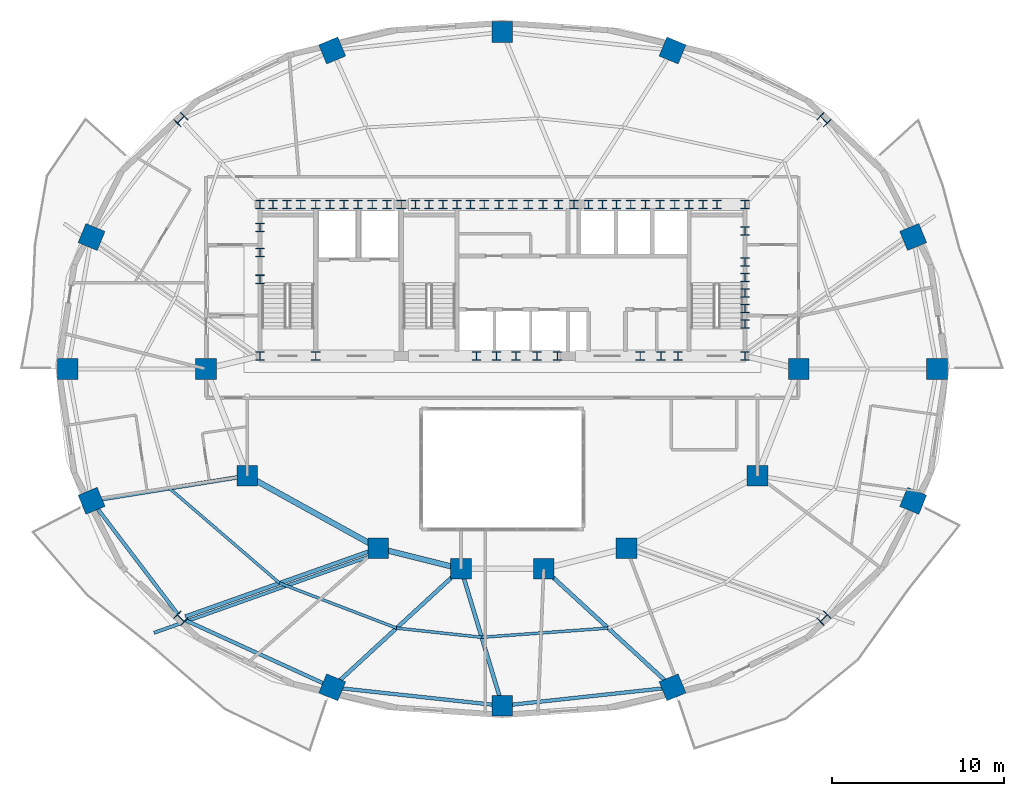
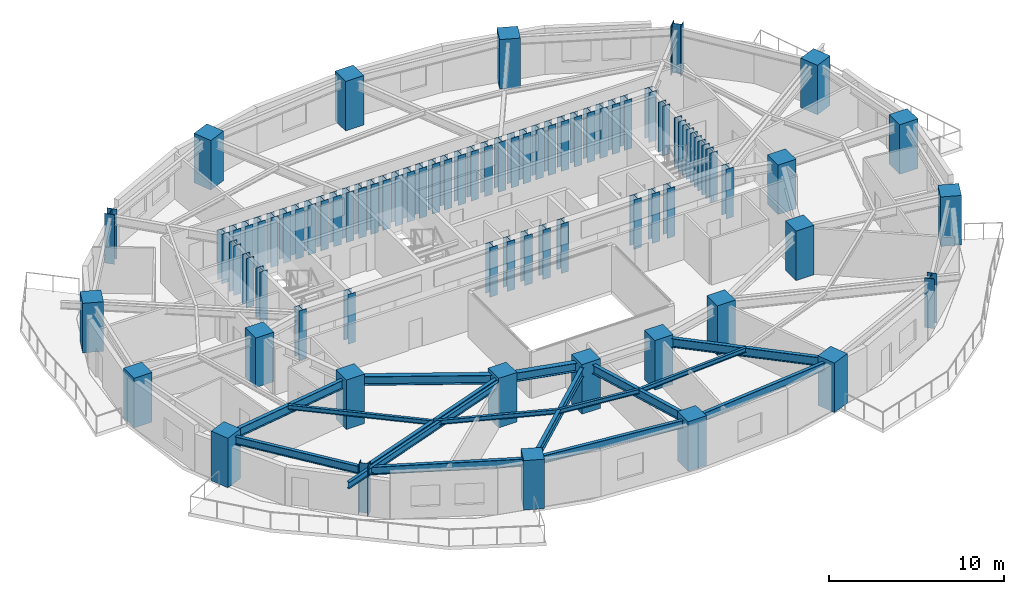
# One storey, part 1 of 12: 78 columns, 16 beams.
"""IFC4 building model written with IfcOpenShell, lengths in metres."""

from ifc_helpers import new_model, si_unit, direction, frame, origin, origin_2d, place, context, subcontext, project, spatial, rectangle, i_section, extrude, material, material_profile, profile_set, type_object, element, save


model = new_model("IFC4")

# Units and contexts
model_context = context("Model", 3, precision=1e-05, world=origin(), true_north=direction((0.0, 1.0)))
body_context = subcontext(model_context, "Body", "Model", "MODEL_VIEW")
ifc_project = project(units=[si_unit("LENGTHUNIT", "METRE"), si_unit("AREAUNIT", "SQUARE_METRE"), si_unit("VOLUMEUNIT", "CUBIC_METRE"), si_unit("PLANEANGLEUNIT", "RADIAN"), si_unit("MASSUNIT", "GRAM", prefix="KILO")], contexts=[model_context])

# Site, building, storey
site_placement = place(None, origin())
site = spatial("IfcSite", under=ifc_project, at=site_placement, CompositionType="ELEMENT")
building_placement = place(site_placement, origin())
building = spatial("IfcBuilding", under=site, at=building_placement, Name="Haldorwick Loom Tower", CompositionType="ELEMENT")
storey_placement = place(building_placement, frame((0.0, 0.0, 157.89990234375)))
storey = spatial("IfcBuildingStorey", under=building, at=storey_placement, Name="L42", CompositionType="ELEMENT", Elevation=157.89990234375)

# Columns
ifc_material_1 = material(Name="Concrete C60 (60 MPa)", Category="concrete")
ifc_material_profile_1 = material_profile(ifc_material_1, rectangle(XDim=1.199951171875, YDim=1.199951171875, at=origin_2d()), Name="RC1200X1200", Category="concrete")
ifc_profile_set_1 = profile_set([ifc_material_profile_1], Name="Concrete C60 (60 MPa)")
column_type_1 = type_object("IfcColumnType", Name="STR-COL-RC1200", PredefinedType="COLUMN", material=ifc_profile_set_1)
for number, where, z_axis, x_axis, name in (
    (1, (53.199951171875, 26.0, 0.0), (0.0, 0.0, 1.0), (1.0, 0.0, 0.0), "L42 Inner Column IC-01"),
    (2, (50.800048828125, 19.800048828125, 0.0), (0.0, 0.0, 1.0), (1.0, 0.0, 0.0), "L42 Inner Column IC-02"),
    (3, (43.199951171875, 15.60009765625, 0.0), (0.0, 0.0, 1.0), (1.0, 0.0, 0.0), "L42 Inner Column IC-03"),
    (4, (38.39990234375, 14.39990234375, 0.0), (0.0, 0.0, 1.0), (1.0, 0.0, 0.0), "L42 Inner Column IC-04"),
    (5, (33.60009765625, 14.39990234375, 0.0), (0.0, 0.0, 1.0), (1.0, 0.0, 0.0), "L42 Inner Column IC-05"),
    (6, (28.800048828125, 15.60009765625, 0.0), (0.0, 0.0, 1.0), (1.0, 0.0, 0.0), "L42 Inner Column IC-06"),
    (7, (21.199951171875, 19.800048828125, 0.0), (0.0, 0.0, 1.0), (1.0, 0.0, 0.0), "L42 Inner Column IC-07"),
    (8, (18.800048828125, 26.0, 0.0), (0.0, 0.0, 1.0), (1.0, 0.0, 0.0), "L42 Inner Column IC-08"),
    (9, (61.217041015625, 26.0, 0.0), (0.0, 0.0, 1.0), (1.0, 0.0, 0.0), "L42 Perimeter Pier Column P01"),
    (10, (59.836181640625, 33.65380859375, 0.0), (0.0, 0.0, 1.0), (0.923879532511, 0.382683432365, 0.0), "L42 Perimeter Pier Column P02"),
    (11, (45.873291015625, 44.4775390625, 0.0), (0.0, 0.0, 1.0), (0.382683432365, 0.923879532511, 0.0), "L42 Perimeter Pier Column P04"),
    (12, (36.0, 45.544677734375, 0.0), (0.0, 0.0, 1.0), (0.0, 1.0, 0.0), "L42 Perimeter Pier Column P05"),
    (13, (26.126708984375, 44.4775390625, 0.0), (0.0, 0.0, 1.0), (-0.382683432365, 0.923879532511, 0.0), "L42 Perimeter Pier Column P06"),
    (14, (12.163818359375, 33.65380859375, 0.0), (0.0, 0.0, 1.0), (-0.923879532511, 0.382683432365, 0.0), "L42 Perimeter Pier Column P08"),
    (15, (10.782958984375, 26.0, 0.0), (0.0, 0.0, 1.0), (-1.0, 0.0, 0.0), "L42 Perimeter Pier Column P09"),
    (16, (12.163818359375, 18.34619140625, 0.0), (0.0, 0.0, 1.0), (-0.923879532511, -0.382683432365, 0.0), "L42 Perimeter Pier Column P10"),
    (17, (26.126708984375, 7.5224609375, 0.0), (0.0, 0.0, 1.0), (-0.382683432365, -0.923879532511, 0.0), "L42 Perimeter Pier Column P12"),
    (18, (36.0, 6.455322265625, 0.0), (0.0, 0.0, 1.0), (0.0, -1.0, 0.0), "L42 Perimeter Pier Column P13"),
    (19, (45.873291015625, 7.5224609375, 0.0), (0.0, 0.0, 1.0), (0.382683432365, -0.923879532511, 0.0), "L42 Perimeter Pier Column P14"),
    (20, (59.836181640625, 18.34619140625, 0.0), (0.0, 0.0, 1.0), (0.923879532511, -0.382683432365, 0.0), "L42 Perimeter Pier Column P16"),
):
    element("IfcColumn", number, at=place(storey_placement, frame(where, z_axis=z_axis, x_axis=x_axis)), inside=storey, type_object=column_type_1, Name=name, PredefinedType="COLUMN", context=body_context, shape_type="SweptSolid", body=[
        extrude(rectangle(XDim=1.199951171875, YDim=1.199951171875, at=origin_2d()), origin(), (0.0, 0.0, 1.0), 3.4501953125),
    ])
ifc_material_2 = material(Name="Steel CSA G40.21 350WT", Category="steel")
ifc_material_profile_2 = material_profile(ifc_material_2, i_section(OverallWidth=0.5, OverallDepth=0.5, WebThickness=0.02197265625, FlangeThickness=0.031982421875, at=origin_2d()), Name="WWF500X500", Category="steel")
ifc_profile_set_2 = profile_set([ifc_material_profile_2], Name="Steel CSA G40.21 350WT")
column_type_2 = type_object("IfcColumnType", Name="STR-COL-WWF500", PredefinedType="COLUMN", material=ifc_profile_set_2)
for number, where, z_axis, x_axis, name in (
    (21, (21.929931640625, 35.550048828125, 0.0), (0.0, 0.0, 1.0), (1.0, 0.0, 0.0), "L42 Core Pilaster CB-01"),
    (22, (23.5, 35.550048828125, 0.0), (0.0, 0.0, 1.0), (1.0, 0.0, 0.0), "L42 Core Pilaster CB-02"),
    (23, (25.169921875, 35.550048828125, 0.0), (0.0, 0.0, 1.0), (1.0, 0.0, 0.0), "L42 Core Pilaster CB-03"),
    (24, (26.800048828125, 35.550048828125, 0.0), (0.0, 0.0, 1.0), (1.0, 0.0, 0.0), "L42 Core Pilaster CB-04"),
    (25, (28.449951171875, 35.550048828125, 0.0), (0.0, 0.0, 1.0), (1.0, 0.0, 0.0), "L42 Core Pilaster CB-05"),
    (26, (30.1298828125, 35.550048828125, 0.0), (0.0, 0.0, 1.0), (1.0, 0.0, 0.0), "L42 Core Pilaster CB-06"),
    (27, (31.75, 35.550048828125, 0.0), (0.0, 0.0, 1.0), (1.0, 0.0, 0.0), "L42 Core Pilaster CB-07"),
    (28, (33.3701171875, 35.550048828125, 0.0), (0.0, 0.0, 1.0), (1.0, 0.0, 0.0), "L42 Core Pilaster CB-08"),
    (29, (34.949951171875, 35.550048828125, 0.0), (0.0, 0.0, 1.0), (1.0, 0.0, 0.0), "L42 Core Pilaster CB-09"),
    (30, (36.60009765625, 35.550048828125, 0.0), (0.0, 0.0, 1.0), (1.0, 0.0, 0.0), "L42 Core Pilaster CB-10"),
    (31, (38.35009765625, 35.550048828125, 0.0), (0.0, 0.0, 1.0), (1.0, 0.0, 0.0), "L42 Core Pilaster CB-11"),
    (32, (40.14990234375, 35.550048828125, 0.0), (0.0, 0.0, 1.0), (1.0, 0.0, 0.0), "L42 Core Pilaster CB-12"),
    (33, (41.800048828125, 35.550048828125, 0.0), (0.0, 0.0, 1.0), (1.0, 0.0, 0.0), "L42 Core Pilaster CB-13"),
    (34, (43.449951171875, 35.550048828125, 0.0), (0.0, 0.0, 1.0), (1.0, 0.0, 0.0), "L42 Core Pilaster CB-14"),
    (35, (45.14990234375, 35.550048828125, 0.0), (0.0, 0.0, 1.0), (1.0, 0.0, 0.0), "L42 Core Pilaster CB-15"),
    (36, (46.830078125, 35.550048828125, 0.0), (0.0, 0.0, 1.0), (1.0, 0.0, 0.0), "L42 Core Pilaster CB-16"),
    (37, (48.449951171875, 35.550048828125, 0.0), (0.0, 0.0, 1.0), (1.0, 0.0, 0.0), "L42 Core Pilaster CB-17"),
    (38, (50.070068359375, 35.550048828125, 0.0), (0.0, 0.0, 1.0), (1.0, 0.0, 0.0), "L42 Core Pilaster CB-18"),
    (39, (21.929931640625, 26.75, 0.0), (0.0, 0.0, 1.0), (1.0, 0.0, 0.0), "L42 Core Pilaster CB-19"),
    (40, (25.169921875, 26.75, 0.0), (0.0, 0.0, 1.0), (1.0, 0.0, 0.0), "L42 Core Pilaster CB-20"),
    (41, (34.5, 26.75, 0.0), (0.0, 0.0, 1.0), (1.0, 0.0, 0.0), "L42 Core Pilaster CB-21"),
    (42, (36.800048828125, 26.75, 0.0), (0.0, 0.0, 1.0), (1.0, 0.0, 0.0), "L42 Core Pilaster CB-22"),
    (43, (39.199951171875, 26.75, 0.0), (0.0, 0.0, 1.0), (1.0, 0.0, 0.0), "L42 Core Pilaster CB-23"),
    (44, (45.199951171875, 26.75, 0.0), (0.0, 0.0, 1.0), (1.0, 0.0, 0.0), "L42 Core Pilaster CB-24"),
    (45, (50.070068359375, 26.75, 0.0), (0.0, 0.0, 1.0), (1.0, 0.0, 0.0), "L42 Core Pilaster CB-25"),
    (46, (21.929931640625, 31.199951171875, 0.0), (0.0, 0.0, 1.0), (1.0, 0.0, 0.0), "L42 Core Pilaster CB-26"),
    (47, (21.929931640625, 32.75, 0.0), (0.0, 0.0, 1.0), (1.0, 0.0, 0.0), "L42 Core Pilaster CB-27"),
    (48, (21.929931640625, 34.199951171875, 0.0), (0.0, 0.0, 1.0), (1.0, 0.0, 0.0), "L42 Core Pilaster CB-28"),
    (49, (50.070068359375, 28.60009765625, 0.0), (0.0, 0.0, 1.0), (1.0, 0.0, 0.0), "L42 Core Pilaster CB-29"),
    (50, (50.070068359375, 30.39990234375, 0.0), (0.0, 0.0, 1.0), (1.0, 0.0, 0.0), "L42 Core Pilaster CB-30"),
    (51, (50.070068359375, 32.199951171875, 0.0), (0.0, 0.0, 1.0), (1.0, 0.0, 0.0), "L42 Core Pilaster CB-31"),
    (52, (50.070068359375, 34.0, 0.0), (0.0, 0.0, 1.0), (1.0, 0.0, 0.0), "L42 Core Pilaster CB-32"),
    (53, (22.699951171875, 35.550048828125, 0.0), (0.0, 0.0, 1.0), (1.0, 0.0, 0.0), "L42 Core Pilaster CB-33"),
    (54, (27.6201171875, 35.550048828125, 0.0), (0.0, 0.0, 1.0), (1.0, 0.0, 0.0), "L42 Core Pilaster CB-34"),
    (55, (32.550048828125, 35.550048828125, 0.0), (0.0, 0.0, 1.0), (1.0, 0.0, 0.0), "L42 Core Pilaster CB-35"),
    (56, (37.5, 35.550048828125, 0.0), (0.0, 0.0, 1.0), (1.0, 0.0, 0.0), "L42 Core Pilaster CB-36"),
    (57, (42.6201171875, 35.550048828125, 0.0), (0.0, 0.0, 1.0), (1.0, 0.0, 0.0), "L42 Core Pilaster CB-37"),
    (58, (47.64990234375, 35.550048828125, 0.0), (0.0, 0.0, 1.0), (1.0, 0.0, 0.0), "L42 Core Pilaster CB-38"),
    (59, (24.300048828125, 35.550048828125, 0.0), (0.0, 0.0, 1.0), (1.0, 0.0, 0.0), "L42 Core Pilaster CB-39"),
    (60, (26.0, 35.550048828125, 0.0), (0.0, 0.0, 1.0), (1.0, 0.0, 0.0), "L42 Core Pilaster CB-40"),
    (61, (29.300048828125, 35.550048828125, 0.0), (0.0, 0.0, 1.0), (1.0, 0.0, 0.0), "L42 Core Pilaster CB-41"),
    (62, (30.949951171875, 35.550048828125, 0.0), (0.0, 0.0, 1.0), (1.0, 0.0, 0.0), "L42 Core Pilaster CB-42"),
    (63, (34.14990234375, 35.550048828125, 0.0), (0.0, 0.0, 1.0), (1.0, 0.0, 0.0), "L42 Core Pilaster CB-43"),
    (64, (35.800048828125, 35.550048828125, 0.0), (0.0, 0.0, 1.0), (1.0, 0.0, 0.0), "L42 Core Pilaster CB-44"),
    (65, (39.25, 35.550048828125, 0.0), (0.0, 0.0, 1.0), (1.0, 0.0, 0.0), "L42 Core Pilaster CB-45"),
    (66, (41.0, 35.550048828125, 0.0), (0.0, 0.0, 1.0), (1.0, 0.0, 0.0), "L42 Core Pilaster CB-46"),
    (67, (44.300048828125, 35.550048828125, 0.0), (0.0, 0.0, 1.0), (1.0, 0.0, 0.0), "L42 Core Pilaster CB-47"),
    (68, (46.0, 35.550048828125, 0.0), (0.0, 0.0, 1.0), (1.0, 0.0, 0.0), "L42 Core Pilaster CB-48"),
    (69, (50.070068359375, 29.5, 0.0), (0.0, 0.0, 1.0), (1.0, 0.0, 0.0), "L42 Core Pilaster CB-49"),
    (70, (50.070068359375, 31.300048828125, 0.0), (0.0, 0.0, 1.0), (1.0, 0.0, 0.0), "L42 Core Pilaster CB-50"),
    (71, (35.64990234375, 26.75, 0.0), (0.0, 0.0, 1.0), (1.0, 0.0, 0.0), "L42 Core Pilaster CB-51"),
    (72, (38.0, 26.75, 0.0), (0.0, 0.0, 1.0), (1.0, 0.0, 0.0), "L42 Core Pilaster CB-52"),
    (73, (44.0, 26.75, 0.0), (0.0, 0.0, 1.0), (1.0, 0.0, 0.0), "L42 Core Pilaster CB-53"),
    (74, (46.199951171875, 26.75, 0.0), (0.0, 0.0, 1.0), (1.0, 0.0, 0.0), "L42 Core Pilaster CB-54"),
):
    element("IfcColumn", number, at=place(storey_placement, frame(where, z_axis=z_axis, x_axis=x_axis)), inside=storey, type_object=column_type_2, Name=name, PredefinedType="COLUMN", context=body_context, shape_type="SweptSolid", body=[
        extrude(i_section(OverallWidth=0.5, OverallDepth=0.5, WebThickness=0.02197265625, FlangeThickness=0.031982421875, at=origin_2d()), origin(), (0.0, 0.0, 1.0), 3.4501953125),
    ])
ifc_material_profile_3 = material_profile(ifc_material_2, i_section(OverallWidth=0.60009765625, OverallDepth=0.60009765625, WebThickness=0.02490234375, FlangeThickness=0.035888671875, at=origin_2d()), Name="WWF600X600", Category="steel")
ifc_profile_set_3 = profile_set([ifc_material_profile_3], Name="Steel CSA G40.21 350WT")
column_type_3 = type_object("IfcColumnType", Name="STR-COL-WWF600", PredefinedType="COLUMN", material=ifc_profile_set_3)
for number, where, z_axis, x_axis, name in (
    (75, (54.655517578125, 40.464111328125, 0.0), (0.0, 0.0, 1.0), (0.707106781187, 0.707106781187, 0.0), "L42 Perimeter Pier Column P03"),
    (76, (17.344482421875, 40.464111328125, 0.0), (0.0, 0.0, 1.0), (-0.707106781187, 0.707106781187, 0.0), "L42 Perimeter Pier Column P07"),
    (77, (17.344482421875, 11.535888671875, 0.0), (0.0, 0.0, 1.0), (-0.707106781187, -0.707106781187, 0.0), "L42 Perimeter Pier Column P11"),
    (78, (54.655517578125, 11.535888671875, 0.0), (0.0, 0.0, 1.0), (0.707106781187, -0.707106781187, 0.0), "L42 Perimeter Pier Column P15"),
):
    element("IfcColumn", number, at=place(storey_placement, frame(where, z_axis=z_axis, x_axis=x_axis)), inside=storey, type_object=column_type_3, Name=name, PredefinedType="COLUMN", context=body_context, shape_type="SweptSolid", body=[
        extrude(i_section(OverallWidth=0.60009765625, OverallDepth=0.60009765625, WebThickness=0.02490234375, FlangeThickness=0.035888671875, at=origin_2d()), origin(), (0.0, 0.0, 1.0), 3.4501953125),
    ])

# Beams
ifc_material_3 = material(Name="Steel CSA G40.21 350W", Category="steel")
ifc_material_profile_4 = material_profile(ifc_material_3, i_section(OverallWidth=0.193115234375, OverallDepth=0.466064453125, WebThickness=0.011474609375, FlangeThickness=0.01904296875, at=origin_2d()), Name="W460X97", Category="steel")
ifc_profile_set_4 = profile_set([ifc_material_profile_4], Name="Steel CSA G40.21 350W")
beam_type_1 = type_object("IfcBeamType", Name="STR-BM-BAL460", PredefinedType="BEAM", material=ifc_profile_set_4)
beam_1_placement = place(storey_placement, frame((28.403564453125, 15.162109375, 2.97705078125), z_axis=(-0.942447955832, -0.334352883266, 0.0), x_axis=(0.334352883266, -0.942447955832, 0.0)))
element("IfcBeam", 79, at=beam_1_placement, inside=storey, type_object=beam_type_1, Name="L42 Continuous Back-Spanned Balcony Beam 2", PredefinedType="BEAM", context=body_context, shape_type="SweptSolid", body=[
    extrude(i_section(OverallWidth=0.193115234375, OverallDepth=0.466064453125, WebThickness=0.011474609375, FlangeThickness=0.01904296875, at=origin_2d()), origin(), (0.0, 0.0, 1.0), 13.385009765625),
])
ifc_material_profile_5 = material_profile(ifc_material_3, i_section(OverallWidth=0.166015625, OverallDepth=0.31298828125, WebThickness=0.006591796875, FlangeThickness=0.01123046875, at=origin_2d()), Name="W310X45", Category="steel")
ifc_profile_set_5 = profile_set([ifc_material_profile_5], Name="Steel CSA G40.21 350W")
beam_type_2 = type_object("IfcBeamType", Name="STR-BM-J310", PredefinedType="JOIST", material=ifc_profile_set_5)
beam_2_placement = place(storey_placement, frame((16.681884765625, 19.072998046875, 3.0537109375), z_axis=(0.75763401328, -0.652679631918, 0.0), x_axis=(0.652679631918, 0.75763401328, 0.0)))
element("IfcBeam", 80, at=beam_2_placement, inside=storey, type_object=beam_type_2, Name="L42 Mid-Bay Secondary Joist 10", PredefinedType="JOIST", context=body_context, shape_type="SweptSolid", body=[
    extrude(i_section(OverallWidth=0.166015625, OverallDepth=0.31298828125, WebThickness=0.006591796875, FlangeThickness=0.01123046875, at=origin_2d()), origin(), (0.0, 0.0, 1.0), 8.4345703125),
])
beam_3_placement = place(storey_placement, frame((23.072265625, 13.56787109375, 3.0537109375), z_axis=(0.933586737031, -0.358351509609, 0.0), x_axis=(0.358351509609, 0.933586737031, 0.0)))
element("IfcBeam", 81, at=beam_3_placement, inside=storey, type_object=beam_type_2, Name="L42 Mid-Bay Secondary Joist 11", PredefinedType="JOIST", context=body_context, shape_type="SweptSolid", body=[
    extrude(i_section(OverallWidth=0.166015625, OverallDepth=0.31298828125, WebThickness=0.006591796875, FlangeThickness=0.01123046875, at=origin_2d()), origin(), (0.0, 0.0, 1.0), 7.274169921875),
])
beam_4_placement = place(storey_placement, frame((29.86328125, 10.961181640625, 3.0537109375), z_axis=(0.994212584227, -0.107430616514, 0.0), x_axis=(0.107430616514, 0.994212584227, 0.0)))
element("IfcBeam", 82, at=beam_4_placement, inside=storey, type_object=beam_type_2, Name="L42 Mid-Bay Secondary Joist 12", PredefinedType="JOIST", context=body_context, shape_type="SweptSolid", body=[
    extrude(i_section(OverallWidth=0.166015625, OverallDepth=0.31298828125, WebThickness=0.006591796875, FlangeThickness=0.01123046875, at=origin_2d()), origin(), (0.0, 0.0, 1.0), 4.965576171875),
])
beam_5_placement = place(storey_placement, frame((34.800048828125, 10.427734375, 3.0537109375), z_axis=(0.997367082818, 0.072518288109, 0.0), x_axis=(-0.072518288109, 0.997367082818, 0.0)))
element("IfcBeam", 83, at=beam_5_placement, inside=storey, type_object=beam_type_2, Name="L42 Mid-Bay Secondary Joist 13", PredefinedType="JOIST", context=body_context, shape_type="SweptSolid", body=[
    extrude(i_section(OverallWidth=0.166015625, OverallDepth=0.31298828125, WebThickness=0.006591796875, FlangeThickness=0.01123046875, at=origin_2d()), origin(), (0.0, 0.0, 1.0), 7.35595703125),
])
ifc_material_profile_6 = material_profile(ifc_material_3, i_section(OverallWidth=0.2119140625, OverallDepth=0.5439453125, WebThickness=0.01318359375, FlangeThickness=0.021240234375, at=origin_2d()), Name="W530X123", Category="steel")
ifc_profile_set_6 = profile_set([ifc_material_profile_6], Name="Steel CSA G40.21 350W")
beam_type_3 = type_object("IfcBeamType", Name="STR-BM-SP530", PredefinedType="SPANDREL", material=ifc_profile_set_6)
beam_6_placement = place(storey_placement, frame((12.478759765625, 17.932373046875, 2.93798828125), z_axis=(0.605421356486, -0.795905133236, 0.0), x_axis=(0.795905133236, 0.605421356486, 0.0)))
element("IfcBeam", 84, at=beam_6_placement, inside=storey, type_object=beam_type_3, Name="L42 Perimeter Spandrel 10", PredefinedType="SPANDREL", context=body_context, shape_type="SweptSolid", body=[
    extrude(i_section(OverallWidth=0.2119140625, OverallDepth=0.5439453125, WebThickness=0.01318359375, FlangeThickness=0.021240234375, at=origin_2d()), origin(), (0.0, 0.0, 1.0), 7.761962890625),
])
beam_7_placement = place(storey_placement, frame((17.594482421875, 11.42138671875, 2.93798828125), z_axis=(0.909534296496, -0.415628877121, 0.0), x_axis=(0.415628877121, 0.909534296496, 0.0)))
element("IfcBeam", 85, at=beam_7_placement, inside=storey, type_object=beam_type_3, Name="L42 Perimeter Spandrel 11", PredefinedType="SPANDREL", context=body_context, shape_type="SweptSolid", body=[
    extrude(i_section(OverallWidth=0.2119140625, OverallDepth=0.5439453125, WebThickness=0.01318359375, FlangeThickness=0.021240234375, at=origin_2d()), origin(), (0.0, 0.0, 1.0), 8.86083984375),
])
for number, where, z_axis, x_axis, name in (
    (86, (26.643798828125, 7.466552734375, 2.93798828125), (0.994210140187, -0.107453232386, 0.0), (0.107453232386, 0.994210140187, 0.0), "L42 Perimeter Spandrel 12"),
    (87, (36.51708984375, 6.51123046875, 2.93798828125), (0.994210140187, 0.107453232386, 0.0), (-0.107453232386, 0.994210140187, 0.0), "L42 Perimeter Spandrel 13"),
):
    element("IfcBeam", number, at=place(storey_placement, frame(where, z_axis=z_axis, x_axis=x_axis)), inside=storey, type_object=beam_type_3, Name=name, PredefinedType="SPANDREL", context=body_context, shape_type="SweptSolid", body=[
        extrude(i_section(OverallWidth=0.2119140625, OverallDepth=0.5439453125, WebThickness=0.01318359375, FlangeThickness=0.021240234375, at=origin_2d()), origin(), (0.0, 0.0, 1.0), 8.890625),
    ])
ifc_material_profile_7 = material_profile(ifc_material_3, i_section(OverallWidth=0.324951171875, OverallDepth=0.615966796875, WebThickness=0.013916015625, FlangeThickness=0.021484375, at=origin_2d()), Name="W610X174", Category="steel")
ifc_profile_set_7 = profile_set([ifc_material_profile_7], Name="Steel CSA G40.21 350W")
beam_type_4 = type_object("IfcBeamType", Name="STR-BM-W610A", PredefinedType="BEAM", material=ifc_profile_set_7)
beam_8_placement = place(storey_placement, frame((33.095458984375, 14.526123046875, 2.902099609375), z_axis=(-0.970142500145, 0.242535625036, 0.0), x_axis=(-0.242535625036, -0.970142500145, 0.0)))
element("IfcBeam", 88, at=beam_8_placement, inside=storey, type_object=beam_type_4, Name="L42 Inner Ring Girder 6", PredefinedType="BEAM", context=body_context, shape_type="SweptSolid", body=[
    extrude(i_section(OverallWidth=0.324951171875, OverallDepth=0.615966796875, WebThickness=0.013916015625, FlangeThickness=0.021484375, at=origin_2d()), origin(), (0.0, 0.0, 1.0), 3.90771484375),
])
beam_9_placement = place(storey_placement, frame((28.344970703125, 15.8515625, 2.902099609375), z_axis=(-0.875244382146, 0.483680960471, 0.0), x_axis=(-0.483680960471, -0.875244382146, 0.0)))
element("IfcBeam", 89, at=beam_9_placement, inside=storey, type_object=beam_type_4, Name="L42 Inner Ring Girder 7", PredefinedType="BEAM", context=body_context, shape_type="SweptSolid", body=[
    extrude(i_section(OverallWidth=0.324951171875, OverallDepth=0.615966796875, WebThickness=0.013916015625, FlangeThickness=0.021484375, at=origin_2d()), origin(), (0.0, 0.0, 1.0), 7.6435546875),
])
ifc_material_profile_8 = material_profile(ifc_material_3, i_section(OverallWidth=0.22998046875, OverallDepth=0.616943359375, WebThickness=0.01318359375, FlangeThickness=0.022216796875, at=origin_2d()), Name="W610X140", Category="steel")
ifc_profile_set_8 = profile_set([ifc_material_profile_8], Name="Steel CSA G40.21 350W")
beam_type_5 = type_object("IfcBeamType", Name="STR-BM-W610B", PredefinedType="BEAM", material=ifc_profile_set_8)
beam_10_placement = place(storey_placement, frame((20.6865234375, 19.71728515625, 2.901611328125), z_axis=(-0.987308639475, -0.158813256432, 0.0), x_axis=(0.158813256432, -0.987308639475, 0.0)))
element("IfcBeam", 90, at=beam_10_placement, inside=storey, type_object=beam_type_5, Name="L42 Radial Floor Girder 10", PredefinedType="BEAM", context=body_context, shape_type="SweptSolid", body=[
    extrude(i_section(OverallWidth=0.22998046875, OverallDepth=0.616943359375, WebThickness=0.01318359375, FlangeThickness=0.022216796875, at=origin_2d()), origin(), (0.0, 0.0, 1.0), 8.1123046875),
])
beam_11_placement = place(storey_placement, frame((28.309814453125, 15.426025390625, 2.901611328125), z_axis=(-0.9424463153, -0.334357507433, 0.0), x_axis=(0.334357507433, -0.9424463153, 0.0)))
element("IfcBeam", 91, at=beam_11_placement, inside=storey, type_object=beam_type_5, Name="L42 Radial Floor Girder 11", PredefinedType="BEAM", context=body_context, shape_type="SweptSolid", body=[
    extrude(i_section(OverallWidth=0.22998046875, OverallDepth=0.616943359375, WebThickness=0.01318359375, FlangeThickness=0.022216796875, at=origin_2d()), origin(), (0.0, 0.0, 1.0), 11.360107421875),
])
beam_12_placement = place(storey_placement, frame((33.21728515625, 14.0478515625, 2.901611328125), z_axis=(-0.735810902934, -0.677187060658, 0.0), x_axis=(0.677187060658, -0.735810902934, 0.0)))
element("IfcBeam", 92, at=beam_12_placement, inside=storey, type_object=beam_type_5, Name="L42 Radial Floor Girder 12", PredefinedType="BEAM", context=body_context, shape_type="SweptSolid", body=[
    extrude(i_section(OverallWidth=0.22998046875, OverallDepth=0.616943359375, WebThickness=0.01318359375, FlangeThickness=0.022216796875, at=origin_2d()), origin(), (0.0, 0.0, 1.0), 9.1162109375),
])
beam_13_placement = place(storey_placement, frame((33.75048828125, 13.902099609375, 2.901611328125), z_axis=(0.28917091681, -0.957277483738, 0.0), x_axis=(0.957277483738, 0.28917091681, 0.0)))
element("IfcBeam", 93, at=beam_13_placement, inside=storey, type_object=beam_type_5, Name="L42 Radial Floor Girder 13", PredefinedType="BEAM", context=body_context, shape_type="SweptSolid", body=[
    extrude(i_section(OverallWidth=0.22998046875, OverallDepth=0.616943359375, WebThickness=0.01318359375, FlangeThickness=0.022216796875, at=origin_2d()), origin(), (0.0, 0.0, 1.0), 7.259033203125),
])
beam_14_placement = place(storey_placement, frame((38.78271484375, 14.0478515625, 2.901611328125), z_axis=(0.735810902934, -0.677187060658, 0.0), x_axis=(0.677187060658, 0.735810902934, 0.0)))
element("IfcBeam", 94, at=beam_14_placement, inside=storey, type_object=beam_type_5, Name="L42 Radial Floor Girder 14", PredefinedType="BEAM", context=body_context, shape_type="SweptSolid", body=[
    extrude(i_section(OverallWidth=0.22998046875, OverallDepth=0.616943359375, WebThickness=0.01318359375, FlangeThickness=0.022216796875, at=origin_2d()), origin(), (0.0, 0.0, 1.0), 9.1162109375),
])

save(model, "model.ifc")
